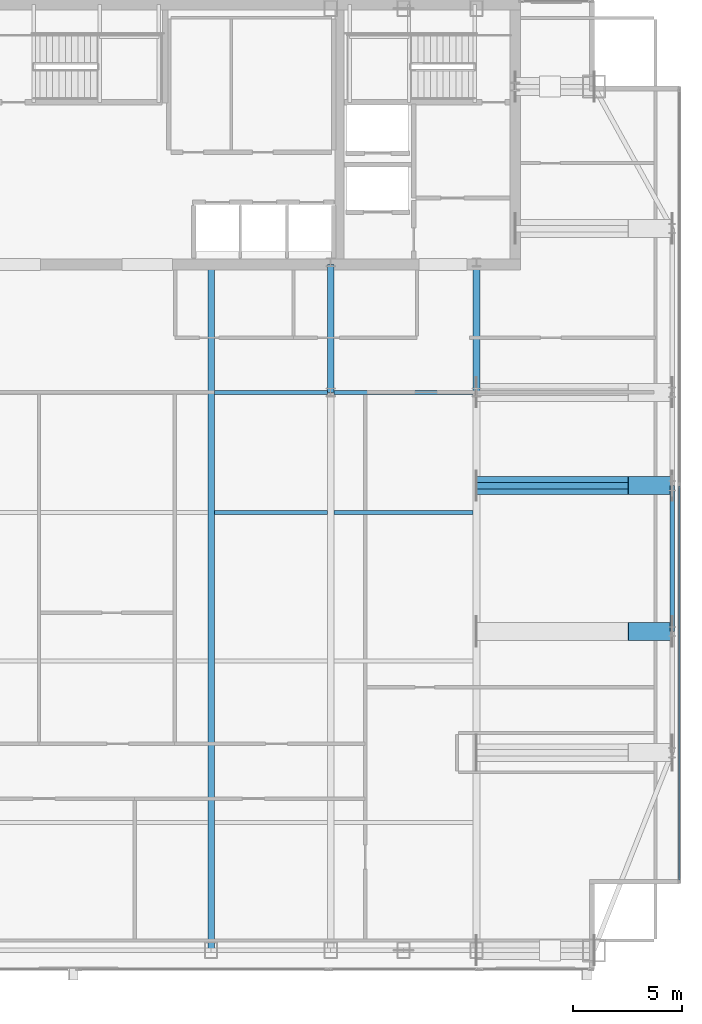
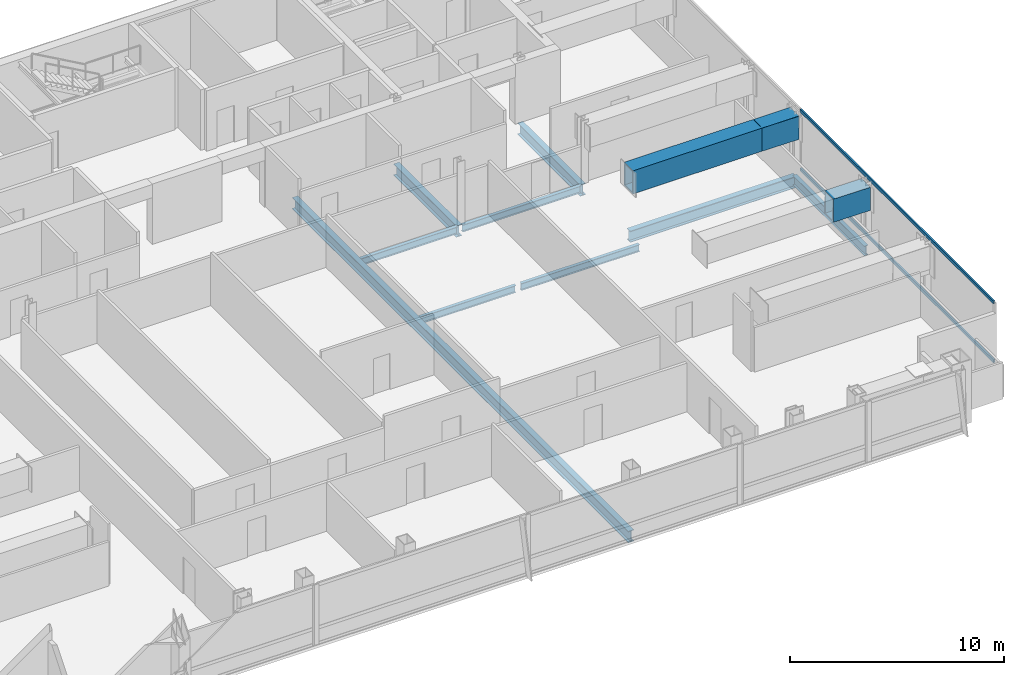
# One storey, part 14 of 26: 12 beams, 2 members, 1 element without a shape of its own.
"""IFC4 building model written with IfcOpenShell, lengths in metres."""

from ifc_helpers import new_model, si_unit, direction, frame, origin, origin_2d, place, context, subcontext, project, spatial, hollow_rectangle, i_section, extrude, material, material_profile, profile_set, type_object, element, aggregate, save


model = new_model("IFC4")

# Units and contexts
model_context = context("Model", 3, precision=1e-05, world=origin(), true_north=direction((0.0, 1.0)))
body_context = subcontext(model_context, "Body", "Model", "MODEL_VIEW")
ifc_project = project(units=[si_unit("LENGTHUNIT", "METRE"), si_unit("AREAUNIT", "SQUARE_METRE"), si_unit("VOLUMEUNIT", "CUBIC_METRE"), si_unit("PLANEANGLEUNIT", "RADIAN"), si_unit("MASSUNIT", "GRAM", prefix="KILO")], contexts=[model_context])

# Site, building, storey
site_placement = place(None, origin())
site = spatial("IfcSite", under=ifc_project, at=site_placement, CompositionType="ELEMENT")
building_placement = place(site_placement, origin())
building = spatial("IfcBuilding", under=site, at=building_placement, Name="Khoronbel Lancet Exchange", CompositionType="ELEMENT")
storey_placement = place(building_placement, frame((0.0, 0.0, 287.800048828125)))
storey = spatial("IfcBuildingStorey", under=building, at=storey_placement, Name="L74", CompositionType="ELEMENT", Elevation=287.800048828125)

# Beams
ifc_material_1 = material(Name="Steel S355", Category="steel")
ifc_material_profile_1 = material_profile(ifc_material_1, i_section(OverallWidth=0.300048828125, OverallDepth=0.64990234375, WebThickness=0.01611328125, FlangeThickness=0.031005859375, at=origin_2d()), Name="HEB 650")
ifc_profile_set_1 = profile_set([ifc_material_profile_1], Name="Steel S355")
beam_type_1 = type_object("IfcBeamType", Name="BM-BG4", PredefinedType="BEAM", material=ifc_profile_set_1)
beam_1_placement = place(storey_placement, frame((42.52490234375, 10.14990234375, -0.485107421875), z_axis=(0.0, 1.0, 0.0), x_axis=(-1.0, 0.0, 0.0)))
element("IfcBeam", 1, at=beam_1_placement, inside=storey, type_object=beam_type_1, Name="Level L74 primary floor girder G4", PredefinedType="BEAM", context=body_context, shape_type="SweptSolid", body=[
    extrude(i_section(OverallWidth=0.300048828125, OverallDepth=0.64990234375, WebThickness=0.01611328125, FlangeThickness=0.031005859375, at=origin_2d()), origin(), (0.0, 0.0, 1.0), 31.400146484375),
])
for number, where, z_axis, x_axis, name in (
    (2, (48.0, 35.699951171875, -0.485107421875), (0.0, 1.0, 0.0), (-1.0, 0.0, 0.0), "Level L74 spine tie girder GN5"),
    (3, (54.675048828125, 35.699951171875, -0.485107421875), (0.0, 1.0, 0.0), (-1.0, 0.0, 0.0), "Level L74 spine tie girder GN6"),
):
    element("IfcBeam", number, at=place(storey_placement, frame(where, z_axis=z_axis, x_axis=x_axis)), inside=storey, type_object=beam_type_1, Name=name, PredefinedType="BEAM", context=body_context, shape_type="SweptSolid", body=[
        extrude(i_section(OverallWidth=0.300048828125, OverallDepth=0.64990234375, WebThickness=0.01611328125, FlangeThickness=0.031005859375, at=origin_2d()), origin(), (0.0, 0.0, 1.0), 5.85009765625),
    ])
beam_2_placement = place(storey_placement, frame((54.675048828125, 31.425048828125, -0.485107421875), z_axis=(1.0, 0.0, 0.0), x_axis=(0.0, 1.0, 0.0)))
element("IfcBeam", 4, at=beam_2_placement, inside=storey, type_object=beam_type_1, Name="Level L74 east lens tie girder LG2E", PredefinedType="BEAM", context=body_context, shape_type="SweptSolid", body=[
    extrude(i_section(OverallWidth=0.300048828125, OverallDepth=0.64990234375, WebThickness=0.01611328125, FlangeThickness=0.031005859375, at=origin_2d()), origin(), (0.0, 0.0, 1.0), 8.954833984375),
])
ifc_material_profile_2 = material_profile(ifc_material_1, i_section(OverallWidth=0.179931640625, OverallDepth=0.39990234375, WebThickness=0.008544921875, FlangeThickness=0.013427734375, at=origin_2d()), Name="IPE 400")
ifc_profile_set_2 = profile_set([ifc_material_profile_2], Name="Steel S355")
beam_type_2 = type_object("IfcBeamType", Name="BM-BJ5", PredefinedType="JOIST", material=ifc_profile_set_2)
beam_3_placement = place(storey_placement, frame((42.675048828125, 30.199951171875, -0.360107421875), z_axis=(1.0, 0.0, 0.0), x_axis=(0.0, 1.0, 0.0)))
element("IfcBeam", 5, at=beam_3_placement, inside=storey, type_object=beam_type_2, Name="Level L74 secondary composite joist J14", PredefinedType="JOIST", context=body_context, shape_type="SweptSolid", body=[
    extrude(i_section(OverallWidth=0.179931640625, OverallDepth=0.39990234375, WebThickness=0.008544921875, FlangeThickness=0.013427734375, at=origin_2d()), origin(), (0.0, 0.0, 1.0), 5.175048828125),
])
beam_4_placement = place(storey_placement, frame((48.14990234375, 30.199951171875, -0.360107421875), z_axis=(1.0, 0.0, 0.0), x_axis=(0.0, 1.0, 0.0)))
element("IfcBeam", 6, at=beam_4_placement, inside=storey, type_object=beam_type_2, Name="Level L74 secondary composite joist J15", PredefinedType="JOIST", context=body_context, shape_type="SweptSolid", body=[
    extrude(i_section(OverallWidth=0.179931640625, OverallDepth=0.39990234375, WebThickness=0.008544921875, FlangeThickness=0.013427734375, at=origin_2d()), origin(), (0.0, 0.0, 1.0), 6.375),
])
beam_5_placement = place(storey_placement, frame((42.675048828125, 35.699951171875, -0.360107421875), z_axis=(1.0, 0.0, 0.0), x_axis=(0.0, 1.0, 0.0)))
element("IfcBeam", 7, at=beam_5_placement, inside=storey, type_object=beam_type_2, Name="Level L74 secondary composite joist J19", PredefinedType="JOIST", context=body_context, shape_type="SweptSolid", body=[
    extrude(i_section(OverallWidth=0.179931640625, OverallDepth=0.39990234375, WebThickness=0.008544921875, FlangeThickness=0.013427734375, at=origin_2d()), origin(), (0.0, 0.0, 1.0), 5.175048828125),
])
beam_6_placement = place(storey_placement, frame((48.14990234375, 35.699951171875, -0.360107421875), z_axis=(1.0, 0.0, 0.0), x_axis=(0.0, 1.0, 0.0)))
element("IfcBeam", 8, at=beam_6_placement, inside=storey, type_object=beam_type_2, Name="Level L74 secondary composite joist J20", PredefinedType="JOIST", context=body_context, shape_type="SweptSolid", body=[
    extrude(i_section(OverallWidth=0.179931640625, OverallDepth=0.39990234375, WebThickness=0.008544921875, FlangeThickness=0.013427734375, at=origin_2d()), origin(), (0.0, 0.0, 1.0), 6.375),
])
ifc_material_profile_3 = material_profile(ifc_material_1, i_section(OverallWidth=0.2099609375, OverallDepth=0.550048828125, WebThickness=0.010986328125, FlangeThickness=0.01708984375, at=origin_2d()), Name="IPE 550")
ifc_profile_set_3 = profile_set([ifc_material_profile_3], Name="Steel S355")
beam_type_3 = type_object("IfcBeamType", Name="BM-BSP3", PredefinedType="SPANDREL", material=ifc_profile_set_3)
beam_7_placement = place(storey_placement, frame((63.6298828125, 24.75, -0.43505859375), z_axis=(0.0, 1.0, 0.0), x_axis=(-1.0, 0.0, 0.0)))
element("IfcBeam", 9, at=beam_7_placement, inside=storey, type_object=beam_type_3, Name="Level L74 perimeter spandrel beam SP12", PredefinedType="SPANDREL", context=body_context, shape_type="SweptSolid", body=[
    extrude(i_section(OverallWidth=0.2099609375, OverallDepth=0.550048828125, WebThickness=0.010986328125, FlangeThickness=0.01708984375, at=origin_2d()), origin(), (0.0, 0.0, 1.0), 6.675048828125),
])
ifc_material_2 = material(Name="Steel S460", Category="steel")
ifc_material_profile_4 = material_profile(ifc_material_2, hollow_rectangle(XDim=0.820068359375, YDim=1.320068359375, WallThickness=0.070068359375, at=origin_2d()), Name="BOX 820x1320x70")
ifc_profile_set_4 = profile_set([ifc_material_profile_4], Name="Steel S460")
beam_type_4 = type_object("IfcBeamType", Name="BM-TG4", PredefinedType="USERDEFINED", material=ifc_profile_set_4)
for number, where, z_axis, x_axis, name in (
    (10, (63.6298828125, 24.75, 2.760009765625), (-0.99994990606, 0.0, 0.010009264196), (0.0, -1.0, 0.0), "Setback transfer knee-brace girder L74-EC-2"),
    (11, (63.6298828125, 31.425048828125, 2.760009765625), (-0.99994990606, 0.0, 0.010009264196), (0.0, -1.0, 0.0), "Setback transfer knee-brace girder L74-EC-M"),
):
    element("IfcBeam", number, at=place(storey_placement, frame(where, z_axis=z_axis, x_axis=x_axis)), inside=storey, type_object=beam_type_4, Name=name, ObjectType="TRANSFER GIRDER", PredefinedType="USERDEFINED", context=body_context, shape_type="SweptSolid", body=[
        extrude(hollow_rectangle(XDim=0.820068359375, YDim=1.320068359375, WallThickness=0.070068359375, at=origin_2d()), origin(), (0.0, 0.0, 1.0), 2.0),
    ])
beam_8_placement = place(storey_placement, frame((54.675048828125, 31.425048828125, 2.780029296875), z_axis=(1.0, 0.0, 0.0), x_axis=(0.0, 1.0, 0.0)))
element("IfcBeam", 12, at=beam_8_placement, inside=storey, type_object=beam_type_4, Name="Lens setback S460 transfer girder L74-E3", ObjectType="TRANSFER GIRDER", PredefinedType="USERDEFINED", context=body_context, shape_type="SweptSolid", body=[
    extrude(hollow_rectangle(XDim=0.820068359375, YDim=1.320068359375, WallThickness=0.070068359375, at=origin_2d()), origin(), (0.0, 0.0, 1.0), 8.954833984375),
])

# Curtain wall, members
ifc_material_3 = material(Name="Low-E Solar Control Insulating Glass", Category="glass")
curtain_wall_type = type_object("IfcCurtainWallType", Name="CW-4", PredefinedType="NOTDEFINED", material=ifc_material_3)
curtain_wall_placement = place(storey_placement, origin())
curtain_wall = element("IfcCurtainWall", 13, at=curtain_wall_placement, inside=storey, type_object=curtain_wall_type, Name="Unitised curtain wall CW-L74-E09", PredefinedType="NOTDEFINED")
ifc_material_4 = material(Name="Bronze-Anodised Aluminium 6063-T6", Category="aluminium")
ifc_material_profile_5 = material_profile(ifc_material_4, hollow_rectangle(XDim=0.0849609375, YDim=0.179931640625, WallThickness=0.0048828125, at=origin_2d()), Name="ALU TRANSOM 85x180")
ifc_profile_set_5 = profile_set([ifc_material_profile_5], Name="Bronze-Anodised Aluminium 6063-T6")
member_type = type_object("IfcMemberType", Name="MEM-CWT1", PredefinedType="USERDEFINED", material=ifc_profile_set_5)
member_1_placement = place(storey_placement, frame((63.9599609375, 31.41259765625, 0.04248046875), z_axis=(0.0, -1.0, 0.0), x_axis=(1.0, 0.0, 0.0)))
member_1 = element("IfcMember", 14, at=member_1_placement, type_object=member_type, Name="CW4 transom 2.1", ObjectType="TRANSOM", PredefinedType="USERDEFINED", context=body_context, shape_type="SweptSolid", body=[
    extrude(hollow_rectangle(XDim=0.0849609375, YDim=0.179931640625, WallThickness=0.0048828125, at=origin_2d()), origin(), (0.0, 0.0, 1.0), 18.047607421875),
])
member_2_placement = place(storey_placement, frame((63.9599609375, 31.41259765625, 3.3974609375), z_axis=(0.0, -1.0, 0.0), x_axis=(1.0, 0.0, 0.0)))
member_2 = element("IfcMember", 15, at=member_2_placement, type_object=member_type, Name="CW4 transom 2.2", ObjectType="TRANSOM", PredefinedType="USERDEFINED", context=body_context, shape_type="SweptSolid", body=[
    extrude(hollow_rectangle(XDim=0.0849609375, YDim=0.179931640625, WallThickness=0.0048828125, at=origin_2d()), origin(), (0.0, 0.0, 1.0), 18.047607421875),
])
aggregate(curtain_wall, [member_1, member_2])

save(model, "model.ifc")
